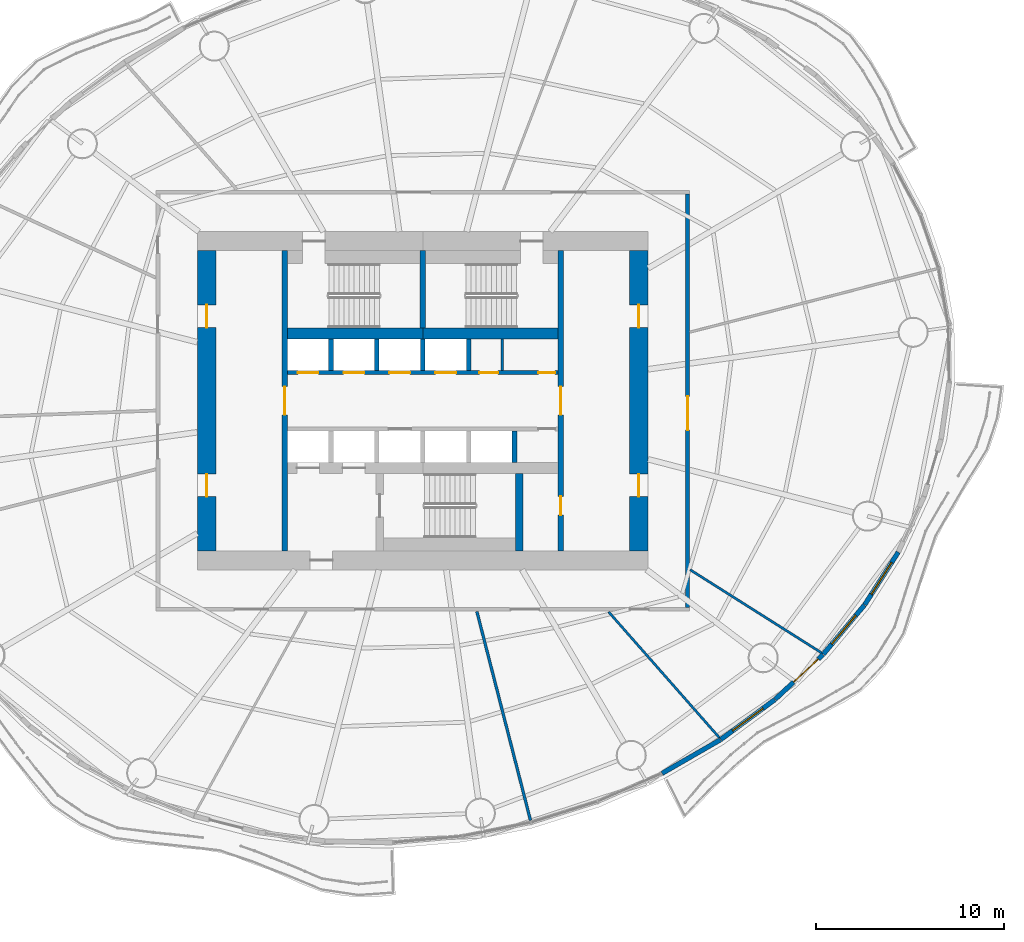
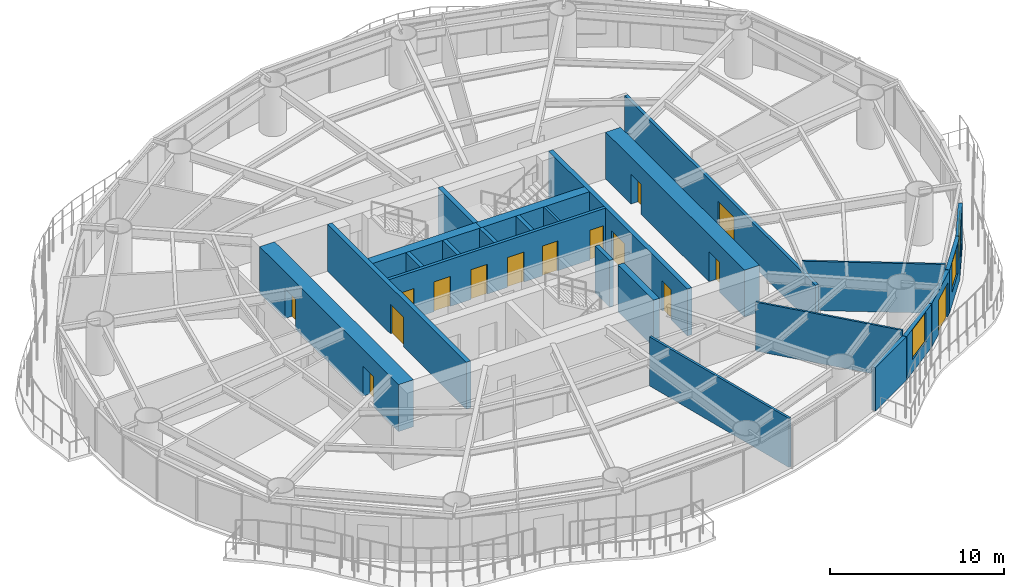
# One storey, part 9 of 17: 24 walls, 15 doors, 3 windows, 18 openings.
"""IFC4 building model written with IfcOpenShell, lengths in metres."""

from ifc_helpers import new_model, si_unit, direction, frame, frame_2d, origin, place, context, subcontext, project, spatial, rectangle, extrude, material, layer, layer_set, type_object, element, fill, save


model = new_model("IFC4")

# Units and contexts
model_context = context("Model", 3, precision=1e-05, world=origin(), true_north=direction((0.0, 1.0)))
body_context = subcontext(model_context, "Body", "Model", "MODEL_VIEW")
ifc_project = project(units=[si_unit("LENGTHUNIT", "METRE"), si_unit("AREAUNIT", "SQUARE_METRE"), si_unit("VOLUMEUNIT", "CUBIC_METRE"), si_unit("PLANEANGLEUNIT", "RADIAN"), si_unit("MASSUNIT", "GRAM", prefix="KILO")], contexts=[model_context])

# Site, building, storey
site_placement = place(None, origin())
site = spatial("IfcSite", under=ifc_project, at=site_placement, CompositionType="ELEMENT")
building_placement = place(site_placement, origin())
building = spatial("IfcBuilding", under=site, at=building_placement, Name="Vermilion Reach Broadcast Tower", CompositionType="ELEMENT")
storey_placement = place(building_placement, frame((0.0, 0.0, 92.199951171875)))
storey = spatial("IfcBuildingStorey", under=building, at=storey_placement, Name="L20", CompositionType="ELEMENT", Elevation=92.199951171875)

# Wall, opening, door
ifc_material_1 = material(Name="Concrete C70", Category="concrete")
ifc_layer_1 = layer(ifc_material_1, 0.300048828125)
ifc_layer_set_1 = layer_set([ifc_layer_1], Name="Core inner wall 300 mm Concrete C70")
wall_type_1 = type_object("IfcWallType", Name="Core inner wall 300 mm Concrete C70", PredefinedType="SHEAR", material=ifc_layer_set_1)
wall_1_placement = place(storey_placement, frame((-13.35009765625, 8.0, 0.0), z_axis=(0.0, 0.0, 1.0), x_axis=(0.0, -1.0, 0.0)))
wall_1 = element("IfcWall", 1, at=wall_1_placement, inside=storey, type_object=wall_type_1, Name="L20 core wall ewW", PredefinedType="SHEAR", context=body_context, shape_type="SweptSolid", body=[
    extrude(rectangle(XDim=16.0, YDim=0.300048828125, at=frame_2d((8.0, 0.0))), origin(), (0.0, 0.0, 1.0), 3.300048828125),
])
opening_1_placement = place(wall_1_placement, frame((7.25, 0.0, 0.0)))
opening_1 = element("IfcOpeningElement", 2, at=opening_1_placement, cuts=wall_1, Name="Opening D04", PredefinedType="OPENING", context=body_context, shape_type="SweptSolid", body=[
    extrude(rectangle(XDim=1.5, YDim=2.10009765625, at=frame_2d((0.75, 1.050048828125))), frame((0.0, 0.159912109375, 0.0), z_axis=(0.0, -1.0, 0.0), x_axis=(1.0, 0.0, 0.0)), (0.0, 0.0, 1.0), 0.320068359375),
])
ifc_material_2 = material(Name="Painted steel fire door", Category="steel")
door_type_1 = type_object("IfcDoorType", Name="Lift lobby door 1500 x 2100", OperationType="DOUBLE_DOOR_SINGLE_SWING", PredefinedType="NOTDEFINED", material=ifc_material_2)
door_1_placement = place(opening_1_placement, origin())
door_1 = element("IfcDoor", 3, at=door_1_placement, inside=storey, type_object=door_type_1, Name="L20 band door BW", OperationType="DOUBLE_DOOR_SINGLE_SWING", OverallHeight=2.10009765625, OverallWidth=1.5, PredefinedType="NOTDEFINED", context=body_context, shape_type="SweptSolid", body=[
    extrude(rectangle(XDim=1.5, YDim=2.10009765625, at=frame_2d((0.75, 1.050048828125))), frame((0.0, 0.02490234375, 0.0), z_axis=(0.0, -1.0, 0.0), x_axis=(1.0, 0.0, 0.0)), (0.0, 0.0, 1.0), 0.050048828125),
])
fill(opening_1, door_1)

# Wall, openings, doors
wall_2_placement = place(storey_placement, frame((1.35009765625, -8.0, 0.0), z_axis=(0.0, 0.0, 1.0), x_axis=(0.0, 1.0, 0.0)))
wall_2 = element("IfcWall", 4, at=wall_2_placement, inside=storey, type_object=wall_type_1, Name="L20 core wall ewE", PredefinedType="SHEAR", context=body_context, shape_type="SweptSolid", body=[
    extrude(rectangle(XDim=16.0, YDim=0.300048828125, at=frame_2d((8.0, 0.0))), origin(), (0.0, 0.0, 1.0), 3.300048828125),
])
opening_2_placement = place(wall_2_placement, frame((1.909912109375, 0.0, 0.0)))
opening_2 = element("IfcOpeningElement", 5, at=opening_2_placement, cuts=wall_2, Name="Opening D05", PredefinedType="OPENING", context=body_context, shape_type="SweptSolid", body=[
    extrude(rectangle(XDim=1.0, YDim=2.10009765625, at=frame_2d((0.5, 1.050048828125))), frame((0.0, 0.159912109375, 0.0), z_axis=(0.0, -1.0, 0.0), x_axis=(1.0, 0.0, 0.0)), (0.0, 0.0, 1.0), 0.320068359375),
])
opening_3_placement = place(wall_2_placement, frame((7.25, 0.0, 0.0)))
opening_3 = element("IfcOpeningElement", 6, at=opening_3_placement, cuts=wall_2, Name="Opening D04", PredefinedType="OPENING", context=body_context, shape_type="SweptSolid", body=[
    extrude(rectangle(XDim=1.5, YDim=2.10009765625, at=frame_2d((0.75, 1.050048828125))), frame((0.0, 0.159912109375, 0.0), z_axis=(0.0, -1.0, 0.0), x_axis=(1.0, 0.0, 0.0)), (0.0, 0.0, 1.0), 0.320068359375),
])
door_2_placement = place(opening_3_placement, origin())
door_2 = element("IfcDoor", 7, at=door_2_placement, inside=storey, type_object=door_type_1, Name="L20 band door BE", OperationType="DOUBLE_DOOR_SINGLE_SWING", OverallHeight=2.10009765625, OverallWidth=1.5, PredefinedType="NOTDEFINED", context=body_context, shape_type="SweptSolid", body=[
    extrude(rectangle(XDim=1.5, YDim=2.10009765625, at=frame_2d((0.75, 1.050048828125))), frame((0.0, 0.02490234375, 0.0), z_axis=(0.0, -1.0, 0.0), x_axis=(1.0, 0.0, 0.0)), (0.0, 0.0, 1.0), 0.050048828125),
])
fill(opening_3, door_2)
ifc_material_3 = material(Name="Timber door", Category="wood")
door_type_2 = type_object("IfcDoorType", Name="Room door 1000 x 2100", OperationType="NOTDEFINED", PredefinedType="NOTDEFINED", material=ifc_material_3)
door_3_placement = place(opening_2_placement, origin())
door_3 = element("IfcDoor", 8, at=door_3_placement, inside=storey, type_object=door_type_2, Name="L20 door SER", OperationType="SINGLE_SWING_LEFT", OverallHeight=2.10009765625, OverallWidth=1.0, PredefinedType="NOTDEFINED", context=body_context, shape_type="SweptSolid", body=[
    extrude(rectangle(XDim=1.0, YDim=2.10009765625, at=frame_2d((0.5, 1.050048828125))), frame((0.0, 0.02490234375, 0.0), z_axis=(0.0, -1.0, 0.0), x_axis=(1.0, 0.0, 0.0)), (0.0, 0.0, 1.0), 0.050048828125),
])
fill(opening_2, door_3)

# Walls
wall_3_placement = place(storey_placement, frame((-6.0, 3.8798828125, 0.0), z_axis=(0.0, 0.0, 1.0), x_axis=(0.0, 1.0, 0.0)))
element("IfcWall", 9, at=wall_3_placement, inside=storey, type_object=wall_type_1, Name="L20 core wall wc", PredefinedType="SHEAR", context=body_context, shape_type="SweptSolid", body=[
    extrude(rectangle(XDim=4.1201171875, YDim=0.300048828125, at=frame_2d((2.06005859375, 0.0))), origin(), (0.0, 0.0, 1.0), 3.300048828125),
])
ifc_material_4 = material(Name="Concrete C70", Category="concrete")
ifc_layer_2 = layer(ifc_material_4, 0.39990234375)
ifc_layer_set_2 = layer_set([ifc_layer_2], Name="Core inner wall 400 mm Concrete C70")
wall_type_2 = type_object("IfcWallType", Name="Core inner wall 400 mm Concrete C70", PredefinedType="SHEAR", material=ifc_layer_set_2)
wall_4_placement = place(storey_placement, frame((-0.85009765625, -3.8798828125, 0.0), z_axis=(0.0, 0.0, 1.0), x_axis=(0.0, -1.0, 0.0)))
element("IfcWall", 10, at=wall_4_placement, inside=storey, type_object=wall_type_2, Name="L20 core wall wb", PredefinedType="SHEAR", context=body_context, shape_type="SweptSolid", body=[
    extrude(rectangle(XDim=4.1201171875, YDim=0.39990234375, at=frame_2d((2.06005859375, 0.0))), origin(), (0.0, 0.0, 1.0), 3.300048828125),
])
ifc_material_5 = material(Name="Concrete C70", Category="concrete")
ifc_layer_3 = layer(ifc_material_5, 0.60009765625)
ifc_layer_set_3 = layer_set([ifc_layer_3], Name="Core inner wall 600 mm Concrete C70")
wall_type_3 = type_object("IfcWallType", Name="Core inner wall 600 mm Concrete C70", PredefinedType="SHEAR", material=ifc_layer_set_3)
for number, where, z_axis, x_axis, name in (
    (11, (-13.199951171875, 3.580078125, 0.0), (0.0, 0.0, 1.0), (1.0, 0.0, 0.0), "L20 core wall winW"),
    (12, (-6.0, 3.580078125, 0.0), (0.0, 0.0, 1.0), (1.0, 0.0, 0.0), "L20 core wall winE"),
):
    element("IfcWall", number, at=place(storey_placement, frame(where, z_axis=z_axis, x_axis=x_axis)), inside=storey, type_object=wall_type_3, Name=name, PredefinedType="SHEAR", context=body_context, shape_type="SweptSolid", body=[
        extrude(rectangle(XDim=7.199951171875, YDim=0.60009765625, at=frame_2d((3.60009765625, 0.0))), origin(), (0.0, 0.0, 1.0), 3.300048828125),
    ])

# Wall, openings, doors
ifc_material_6 = material(Name="Concrete C70", Category="concrete")
ifc_layer_4 = layer(ifc_material_6, 1.0)
ifc_layer_set_4 = layer_set([ifc_layer_4], Name="Core outer wall 1000 mm Concrete C70")
wall_type_4 = type_object("IfcWallType", Name="Core outer wall 1000 mm Concrete C70", PredefinedType="SHEAR", material=ifc_layer_set_4)
wall_5_placement = place(storey_placement, frame((-17.5, 8.0, 0.0), z_axis=(0.0, 0.0, 1.0), x_axis=(0.0, -1.0, 0.0)))
wall_5 = element("IfcWall", 13, at=wall_5_placement, inside=storey, type_object=wall_type_4, Name="L20 core wall ow", PredefinedType="SHEAR", context=body_context, shape_type="SweptSolid", body=[
    extrude(rectangle(XDim=16.0, YDim=1.0, at=frame_2d((8.0, 0.0))), origin(), (0.0, 0.0, 1.0), 3.300048828125),
])
opening_4_placement = place(wall_5_placement, frame((11.89990234375, 0.0, 0.0)))
opening_4 = element("IfcOpeningElement", 14, at=opening_4_placement, cuts=wall_5, Name="Opening D03", PredefinedType="OPENING", context=body_context, shape_type="SweptSolid", body=[
    extrude(rectangle(XDim=1.199951171875, YDim=2.10009765625, at=frame_2d((0.60009765625, 1.050048828125))), frame((0.0, 0.510009765625, 0.0), z_axis=(0.0, -1.0, 0.0), x_axis=(1.0, 0.0, 0.0)), (0.0, 0.0, 1.0), 1.02001953125),
])
opening_5_placement = place(wall_5_placement, frame((2.89990234375, 0.0, 0.0)))
opening_5 = element("IfcOpeningElement", 15, at=opening_5_placement, cuts=wall_5, Name="Opening D03", PredefinedType="OPENING", context=body_context, shape_type="SweptSolid", body=[
    extrude(rectangle(XDim=1.199951171875, YDim=2.10009765625, at=frame_2d((0.60009765625, 1.050048828125))), frame((0.0, 0.510009765625, 0.0), z_axis=(0.0, -1.0, 0.0), x_axis=(1.0, 0.0, 0.0)), (0.0, 0.0, 1.0), 1.02001953125),
])
ifc_material_7 = material(Name="Painted steel fire door", Category="steel")
door_type_3 = type_object("IfcDoorType", Name="Core lobby door 1200 x 2100", OperationType="DOUBLE_DOOR_SINGLE_SWING", PredefinedType="NOTDEFINED", material=ifc_material_7)
door_4_placement = place(opening_4_placement, origin())
door_4 = element("IfcDoor", 16, at=door_4_placement, inside=storey, type_object=door_type_3, Name="L20 slot door W0", OperationType="DOUBLE_DOOR_SINGLE_SWING", OverallHeight=2.10009765625, OverallWidth=1.199951171875, PredefinedType="NOTDEFINED", context=body_context, shape_type="SweptSolid", body=[
    extrude(rectangle(XDim=1.199951171875, YDim=2.10009765625, at=frame_2d((0.60009765625, 1.050048828125))), frame((0.0, 0.02490234375, 0.0), z_axis=(0.0, -1.0, 0.0), x_axis=(1.0, 0.0, 0.0)), (0.0, 0.0, 1.0), 0.050048828125),
])
fill(opening_4, door_4)
door_5_placement = place(opening_5_placement, origin())
door_5 = element("IfcDoor", 17, at=door_5_placement, inside=storey, type_object=door_type_3, Name="L20 slot door W1", OperationType="DOUBLE_DOOR_SINGLE_SWING", OverallHeight=2.10009765625, OverallWidth=1.199951171875, PredefinedType="NOTDEFINED", context=body_context, shape_type="SweptSolid", body=[
    extrude(rectangle(XDim=1.199951171875, YDim=2.10009765625, at=frame_2d((0.60009765625, 1.050048828125))), frame((0.0, 0.02490234375, 0.0), z_axis=(0.0, -1.0, 0.0), x_axis=(1.0, 0.0, 0.0)), (0.0, 0.0, 1.0), 0.050048828125),
])
fill(opening_5, door_5)

wall_6_placement = place(storey_placement, frame((5.5, -8.0, 0.0), z_axis=(0.0, 0.0, 1.0), x_axis=(0.0, 1.0, 0.0)))
wall_6 = element("IfcWall", 18, at=wall_6_placement, inside=storey, type_object=wall_type_4, Name="L20 core wall oe", PredefinedType="SHEAR", context=body_context, shape_type="SweptSolid", body=[
    extrude(rectangle(XDim=16.0, YDim=1.0, at=frame_2d((8.0, 0.0))), origin(), (0.0, 0.0, 1.0), 3.300048828125),
])
opening_6_placement = place(wall_6_placement, frame((2.89990234375, 0.0, 0.0)))
opening_6 = element("IfcOpeningElement", 19, at=opening_6_placement, cuts=wall_6, Name="Opening D03", PredefinedType="OPENING", context=body_context, shape_type="SweptSolid", body=[
    extrude(rectangle(XDim=1.199951171875, YDim=2.10009765625, at=frame_2d((0.60009765625, 1.050048828125))), frame((0.0, 0.510009765625, 0.0), z_axis=(0.0, -1.0, 0.0), x_axis=(1.0, 0.0, 0.0)), (0.0, 0.0, 1.0), 1.02001953125),
])
opening_7_placement = place(wall_6_placement, frame((11.89990234375, 0.0, 0.0)))
opening_7 = element("IfcOpeningElement", 20, at=opening_7_placement, cuts=wall_6, Name="Opening D03", PredefinedType="OPENING", context=body_context, shape_type="SweptSolid", body=[
    extrude(rectangle(XDim=1.199951171875, YDim=2.10009765625, at=frame_2d((0.60009765625, 1.050048828125))), frame((0.0, 0.510009765625, 0.0), z_axis=(0.0, -1.0, 0.0), x_axis=(1.0, 0.0, 0.0)), (0.0, 0.0, 1.0), 1.02001953125),
])
door_6_placement = place(opening_6_placement, origin())
door_6 = element("IfcDoor", 21, at=door_6_placement, inside=storey, type_object=door_type_3, Name="L20 slot door E0", OperationType="DOUBLE_DOOR_SINGLE_SWING", OverallHeight=2.10009765625, OverallWidth=1.199951171875, PredefinedType="NOTDEFINED", context=body_context, shape_type="SweptSolid", body=[
    extrude(rectangle(XDim=1.199951171875, YDim=2.10009765625, at=frame_2d((0.60009765625, 1.050048828125))), frame((0.0, 0.02490234375, 0.0), z_axis=(0.0, -1.0, 0.0), x_axis=(1.0, 0.0, 0.0)), (0.0, 0.0, 1.0), 0.050048828125),
])
fill(opening_6, door_6)
door_7_placement = place(opening_7_placement, origin())
door_7 = element("IfcDoor", 22, at=door_7_placement, inside=storey, type_object=door_type_3, Name="L20 slot door E1", OperationType="DOUBLE_DOOR_SINGLE_SWING", OverallHeight=2.10009765625, OverallWidth=1.199951171875, PredefinedType="NOTDEFINED", context=body_context, shape_type="SweptSolid", body=[
    extrude(rectangle(XDim=1.199951171875, YDim=2.10009765625, at=frame_2d((0.60009765625, 1.050048828125))), frame((0.0, 0.02490234375, 0.0), z_axis=(0.0, -1.0, 0.0), x_axis=(1.0, 0.0, 0.0)), (0.0, 0.0, 1.0), 0.050048828125),
])
fill(opening_7, door_7)

# Wall
ifc_material_8 = material(Name="Masonry block", Category="masonry")
ifc_layer_5 = layer(ifc_material_8, 0.14990234375)
ifc_layer_set_5 = layer_set([ifc_layer_5], Name="Core partition wall 150 mm Masonry block")
wall_type_5 = type_object("IfcWallType", Name="Core partition wall 150 mm Masonry block", PredefinedType="PARTITIONING", material=ifc_layer_set_5)
wall_7_placement = place(storey_placement, frame((-1.765380859375, 1.60009765625, 0.0), z_axis=(0.0, 0.0, 1.0), x_axis=(0.0, 1.0, 0.0)))
element("IfcWall", 23, at=wall_7_placement, inside=storey, type_object=wall_type_5, Name="L20 core wall prN4235", PredefinedType="PARTITIONING", context=body_context, shape_type="SweptSolid", body=[
    extrude(rectangle(XDim=1.679931640625, YDim=0.14990234375, at=frame_2d((0.83984375, 0.0))), origin(), (0.0, 0.0, 1.0), 3.300048828125),
])

# Wall, openings, doors
ifc_material_9 = material(Name="Concrete C50", Category="concrete")
ifc_layer_6 = layer(ifc_material_9, 0.199951171875)
ifc_layer_set_6 = layer_set([ifc_layer_6], Name="Core shaft wall 200 mm Concrete C50")
wall_type_6 = type_object("IfcWallType", Name="Core shaft wall 200 mm Concrete C50", PredefinedType="SHEAR", material=ifc_layer_set_6)
wall_8_placement = place(storey_placement, frame((-13.199951171875, 1.5, 0.0), z_axis=(0.0, 0.0, 1.0), x_axis=(1.0, 0.0, 0.0)))
wall_8 = element("IfcWall", 24, at=wall_8_placement, inside=storey, type_object=wall_type_6, Name="L20 core wall fn", PredefinedType="SHEAR", context=body_context, shape_type="SweptSolid", body=[
    extrude(rectangle(XDim=14.39990234375, YDim=0.199951171875, at=frame_2d((7.199951171875, 0.0))), origin(), (0.0, 0.0, 1.0), 3.300048828125),
])
opening_8_placement = place(wall_8_placement, frame((0.5458984375, 0.0, 0.0)))
opening_8 = element("IfcOpeningElement", 25, at=opening_8_placement, cuts=wall_8, Name="Opening LD2", PredefinedType="OPENING", context=body_context, shape_type="SweptSolid", body=[
    extrude(rectangle(XDim=1.10009765625, YDim=2.10009765625, at=frame_2d((0.550048828125, 1.050048828125))), frame((0.0, 0.10986328125, 0.0), z_axis=(0.0, -1.0, 0.0), x_axis=(1.0, 0.0, 0.0)), (0.0, 0.0, 1.0), 0.219970703125),
])
opening_9_placement = place(wall_8_placement, frame((2.987548828125, 0.0, 0.0)))
opening_9 = element("IfcOpeningElement", 26, at=opening_9_placement, cuts=wall_8, Name="Opening LD2", PredefinedType="OPENING", context=body_context, shape_type="SweptSolid", body=[
    extrude(rectangle(XDim=1.10009765625, YDim=2.10009765625, at=frame_2d((0.550048828125, 1.050048828125))), frame((0.0, 0.10986328125, 0.0), z_axis=(0.0, -1.0, 0.0), x_axis=(1.0, 0.0, 0.0)), (0.0, 0.0, 1.0), 0.219970703125),
])
opening_10_placement = place(wall_8_placement, frame((5.42919921875, 0.0, 0.0)))
opening_10 = element("IfcOpeningElement", 27, at=opening_10_placement, cuts=wall_8, Name="Opening LD2", PredefinedType="OPENING", context=body_context, shape_type="SweptSolid", body=[
    extrude(rectangle(XDim=1.10009765625, YDim=2.10009765625, at=frame_2d((0.550048828125, 1.050048828125))), frame((0.0, 0.10986328125, 0.0), z_axis=(0.0, -1.0, 0.0), x_axis=(1.0, 0.0, 0.0)), (0.0, 0.0, 1.0), 0.219970703125),
])
opening_11_placement = place(wall_8_placement, frame((7.870849609375, 0.0, 0.0)))
opening_11 = element("IfcOpeningElement", 28, at=opening_11_placement, cuts=wall_8, Name="Opening LD2", PredefinedType="OPENING", context=body_context, shape_type="SweptSolid", body=[
    extrude(rectangle(XDim=1.10009765625, YDim=2.10009765625, at=frame_2d((0.550048828125, 1.050048828125))), frame((0.0, 0.10986328125, 0.0), z_axis=(0.0, -1.0, 0.0), x_axis=(1.0, 0.0, 0.0)), (0.0, 0.0, 1.0), 0.219970703125),
])
opening_12_placement = place(wall_8_placement, frame((10.209716796875, 0.0, 0.0)))
opening_12 = element("IfcOpeningElement", 29, at=opening_12_placement, cuts=wall_8, Name="Opening D07", PredefinedType="OPENING", context=body_context, shape_type="SweptSolid", body=[
    extrude(rectangle(XDim=1.0, YDim=2.10009765625, at=frame_2d((0.5, 1.050048828125))), frame((0.0, 0.10986328125, 0.0), z_axis=(0.0, -1.0, 0.0), x_axis=(1.0, 0.0, 0.0)), (0.0, 0.0, 1.0), 0.219970703125),
])
opening_13_placement = place(wall_8_placement, frame((13.35009765625, 0.0, 0.0)))
opening_13 = element("IfcOpeningElement", 30, at=opening_13_placement, cuts=wall_8, Name="Opening D06", PredefinedType="OPENING", context=body_context, shape_type="SweptSolid", body=[
    extrude(rectangle(XDim=0.89990234375, YDim=2.10009765625, at=frame_2d((0.449951171875, 1.050048828125))), frame((0.0, 0.10986328125, 0.0), z_axis=(0.0, -1.0, 0.0), x_axis=(1.0, 0.0, 0.0)), (0.0, 0.0, 1.0), 0.219970703125),
])
ifc_material_10 = material(Name="Timber door", Category="wood")
door_type_4 = type_object("IfcDoorType", Name="Accessible WC door 1000 x 2100", OperationType="NOTDEFINED", PredefinedType="NOTDEFINED", material=ifc_material_10)
door_8_placement = place(opening_12_placement, origin())
door_8 = element("IfcDoor", 31, at=door_8_placement, inside=storey, type_object=door_type_4, Name="L20 door Accessible WC", OperationType="SINGLE_SWING_RIGHT", OverallHeight=2.10009765625, OverallWidth=1.0, PredefinedType="NOTDEFINED", context=body_context, shape_type="SweptSolid", body=[
    extrude(rectangle(XDim=1.0, YDim=2.10009765625, at=frame_2d((0.5, 1.050048828125))), frame((0.0, 0.02490234375, 0.0), z_axis=(0.0, -1.0, 0.0), x_axis=(1.0, 0.0, 0.0)), (0.0, 0.0, 1.0), 0.050048828125),
])
fill(opening_12, door_8)
ifc_material_11 = material(Name="Stainless steel", Category="steel")
door_type_5 = type_object("IfcDoorType", Name="Landing door 1100 x 2100", OperationType="DOUBLE_DOOR_SLIDING", PredefinedType="NOTDEFINED", material=ifc_material_11)
door_9_placement = place(opening_8_placement, origin())
door_9 = element("IfcDoor", 32, at=door_9_placement, inside=storey, type_object=door_type_5, Name="L20 landing door LR1", OperationType="DOUBLE_DOOR_SLIDING", OverallHeight=2.10009765625, OverallWidth=1.10009765625, PredefinedType="NOTDEFINED", context=body_context, shape_type="SweptSolid", body=[
    extrude(rectangle(XDim=1.10009765625, YDim=2.10009765625, at=frame_2d((0.550048828125, 1.050048828125))), frame((0.0, 0.02490234375, 0.0), z_axis=(0.0, -1.0, 0.0), x_axis=(1.0, 0.0, 0.0)), (0.0, 0.0, 1.0), 0.050048828125),
])
fill(opening_8, door_9)
door_10_placement = place(opening_9_placement, origin())
door_10 = element("IfcDoor", 33, at=door_10_placement, inside=storey, type_object=door_type_5, Name="L20 landing door LR2", OperationType="DOUBLE_DOOR_SLIDING", OverallHeight=2.10009765625, OverallWidth=1.10009765625, PredefinedType="NOTDEFINED", context=body_context, shape_type="SweptSolid", body=[
    extrude(rectangle(XDim=1.10009765625, YDim=2.10009765625, at=frame_2d((0.550048828125, 1.050048828125))), frame((0.0, 0.02490234375, 0.0), z_axis=(0.0, -1.0, 0.0), x_axis=(1.0, 0.0, 0.0)), (0.0, 0.0, 1.0), 0.050048828125),
])
fill(opening_9, door_10)
door_11_placement = place(opening_10_placement, origin())
door_11 = element("IfcDoor", 34, at=door_11_placement, inside=storey, type_object=door_type_5, Name="L20 landing door LR3", OperationType="DOUBLE_DOOR_SLIDING", OverallHeight=2.10009765625, OverallWidth=1.10009765625, PredefinedType="NOTDEFINED", context=body_context, shape_type="SweptSolid", body=[
    extrude(rectangle(XDim=1.10009765625, YDim=2.10009765625, at=frame_2d((0.550048828125, 1.050048828125))), frame((0.0, 0.02490234375, 0.0), z_axis=(0.0, -1.0, 0.0), x_axis=(1.0, 0.0, 0.0)), (0.0, 0.0, 1.0), 0.050048828125),
])
fill(opening_10, door_11)
door_12_placement = place(opening_11_placement, origin())
door_12 = element("IfcDoor", 35, at=door_12_placement, inside=storey, type_object=door_type_5, Name="L20 landing door LR4", OperationType="DOUBLE_DOOR_SLIDING", OverallHeight=2.10009765625, OverallWidth=1.10009765625, PredefinedType="NOTDEFINED", context=body_context, shape_type="SweptSolid", body=[
    extrude(rectangle(XDim=1.10009765625, YDim=2.10009765625, at=frame_2d((0.550048828125, 1.050048828125))), frame((0.0, 0.02490234375, 0.0), z_axis=(0.0, -1.0, 0.0), x_axis=(1.0, 0.0, 0.0)), (0.0, 0.0, 1.0), 0.050048828125),
])
fill(opening_11, door_12)
ifc_material_12 = material(Name="Timber door", Category="wood")
door_type_6 = type_object("IfcDoorType", Name="WC door 900 x 2100", OperationType="NOTDEFINED", PredefinedType="NOTDEFINED", material=ifc_material_12)
door_13_placement = place(opening_13_placement, origin())
door_13 = element("IfcDoor", 36, at=door_13_placement, inside=storey, type_object=door_type_6, Name="L20 door Female WC", OperationType="SINGLE_SWING_RIGHT", OverallHeight=2.10009765625, OverallWidth=0.89990234375, PredefinedType="NOTDEFINED", context=body_context, shape_type="SweptSolid", body=[
    extrude(rectangle(XDim=0.89990234375, YDim=2.10009765625, at=frame_2d((0.449951171875, 1.050048828125))), frame((0.0, 0.02490234375, 0.0), z_axis=(0.0, -1.0, 0.0), x_axis=(1.0, 0.0, 0.0)), (0.0, 0.0, 1.0), 0.050048828125),
])
fill(opening_13, door_13)

# Walls
ifc_material_13 = material(Name="Concrete C50", Category="concrete")
ifc_layer_7 = layer(ifc_material_13, 0.25)
ifc_layer_set_7 = layer_set([ifc_layer_7], Name="Core shaft wall 250 mm Concrete C50")
wall_type_7 = type_object("IfcWallType", Name="Core shaft wall 250 mm Concrete C50", PredefinedType="SHEAR", material=ifc_layer_set_7)
for number, where, z_axis, x_axis, name in (
    (37, (-10.88330078125, 1.60009765625, 0.0), (0.0, 0.0, 1.0), (0.0, 1.0, 0.0), "L20 core wall psN0"),
    (38, (-8.441650390625, 1.60009765625, 0.0), (0.0, 0.0, 1.0), (0.0, 1.0, 0.0), "L20 core wall psN1"),
    (39, (-6.0, 1.60009765625, 0.0), (0.0, 0.0, 1.0), (0.0, 1.0, 0.0), "L20 core wall psN2"),
    (40, (-3.558349609375, 1.60009765625, 0.0), (0.0, 0.0, 1.0), (0.0, 1.0, 0.0), "L20 core wall psN3"),
    (41, (-1.11669921875, -1.60009765625, 0.0), (0.0, 0.0, 1.0), (0.0, -1.0, 0.0), "L20 core wall psS4"),
):
    element("IfcWall", number, at=place(storey_placement, frame(where, z_axis=z_axis, x_axis=x_axis)), inside=storey, type_object=wall_type_7, Name=name, PredefinedType="SHEAR", context=body_context, shape_type="SweptSolid", body=[
        extrude(rectangle(XDim=1.679931640625, YDim=0.25, at=frame_2d((0.83984375, 0.0))), origin(), (0.0, 0.0, 1.0), 3.300048828125),
    ])
ifc_material_14 = material(Name="Fire-rated plasterboard on steel stud", Category="steel")
ifc_layer_8 = layer(ifc_material_14, 0.125)
ifc_layer_set_8 = layer_set([ifc_layer_8], Name="Partition 125 fire-rated stud")
wall_type_8 = type_object("IfcWallType", Name="Partition 125 fire-rated stud", PredefinedType="PARTITIONING", material=ifc_layer_set_8)
wall_9_placement = place(storey_placement, frame((9.789794921875, -17.936279296875, 0.0), z_axis=(0.0, 0.0, 1.0), x_axis=(-0.660747590453, 0.750608167895, 0.0)))
element("IfcWall", 42, at=wall_9_placement, inside=storey, type_object=wall_type_8, Name="Partition 20.09", PredefinedType="PARTITIONING", context=body_context, shape_type="SweptSolid", body=[
    extrude(rectangle(XDim=8.91943359375, YDim=0.125, at=frame_2d((4.459716796875, 0.0))), origin(), (0.0, 0.0, 1.0), 3.449951171875),
])
wall_10_placement = place(storey_placement, frame((15.228271484375, -13.41845703125, 0.0), z_axis=(0.0, 0.0, 1.0), x_axis=(-0.845280625948, 0.534322621079, 0.0)))
element("IfcWall", 43, at=wall_10_placement, inside=storey, type_object=wall_type_8, Name="Partition 20.10", PredefinedType="PARTITIONING", context=body_context, shape_type="SweptSolid", body=[
    extrude(rectangle(XDim=8.275146484375, YDim=0.125, at=frame_2d((4.1376953125, 0.0))), origin(), (0.0, 0.0, 1.0), 3.449951171875),
])
ifc_material_15 = material(Name="Lightweight concrete block, plastered", Category="concrete")
ifc_layer_9 = layer(ifc_material_15, 0.14990234375)
ifc_layer_set_9 = layer_set([ifc_layer_9], Name="Partition 150 lightweight block")
wall_type_9 = type_object("IfcWallType", Name="Partition 150 lightweight block", PredefinedType="PARTITIONING", material=ifc_layer_set_9)
wall_11_placement = place(storey_placement, frame((-0.263916015625, -22.34033203125, 0.0), z_axis=(0.0, 0.0, 1.0), x_axis=(-0.248704264298, 0.968579469594, 0.0)))
element("IfcWall", 44, at=wall_11_placement, inside=storey, type_object=wall_type_9, Name="Partition 20.08", PredefinedType="PARTITIONING", context=body_context, shape_type="SweptSolid", body=[
    extrude(rectangle(XDim=11.482421875, YDim=0.14990234375, at=frame_2d((5.7412109375, 0.0))), origin(), (0.0, 0.0, 1.0), 3.449951171875),
])
ifc_material_16 = material(Name="Terracotta rainscreen cladding", Category="masonry")
ifc_layer_10 = layer(ifc_material_16, 0.25)
ifc_layer_set_10 = layer_set([ifc_layer_10], Name="Terracotta rainscreen wall 250")
wall_type_10 = type_object("IfcWallType", Name="Terracotta rainscreen wall 250", PredefinedType="SOLIDWALL", material=ifc_layer_set_10)
wall_12_placement = place(storey_placement, frame((6.7412109375, -19.83642578125, 0.0), z_axis=(0.0, 0.0, 1.0), x_axis=(0.866511818646, 0.49915655675, 0.0)))
element("IfcWall", 45, at=wall_12_placement, inside=storey, type_object=wall_type_10, Name="External wall L20 38", PredefinedType="SOLIDWALL", context=body_context, shape_type="SweptSolid", body=[
    extrude(rectangle(XDim=3.586181640625, YDim=0.25, at=frame_2d((1.79296875, 0.0))), origin(), (0.0, 0.0, 1.0), 3.050048828125),
])

# Wall, opening, window
wall_13_placement = place(storey_placement, frame((9.8671875, -18.0341796875, 0.0), z_axis=(0.0, 0.0, 1.0), x_axis=(0.804847820355, 0.593481243234, 0.0)))
wall_13 = element("IfcWall", 46, at=wall_13_placement, inside=storey, type_object=wall_type_10, Name="External wall L20 39", PredefinedType="SOLIDWALL", context=body_context, shape_type="SweptSolid", body=[
    extrude(rectangle(XDim=3.5703125, YDim=0.25, at=frame_2d((1.78515625, 0.0))), origin(), (0.0, 0.0, 1.0), 3.050048828125),
])
opening_14_placement = place(wall_13_placement, frame((0.78515625, 0.0, 0.89990234375)))
opening_14 = element("IfcOpeningElement", 47, at=opening_14_placement, cuts=wall_13, Name="Opening W03", PredefinedType="OPENING", context=body_context, shape_type="SweptSolid", body=[
    extrude(rectangle(XDim=2.0, YDim=2.10009765625, at=frame_2d((1.0, 1.050048828125))), frame((0.0, 0.135009765625, 0.0), z_axis=(0.0, -1.0, 0.0), x_axis=(1.0, 0.0, 0.0)), (0.0, 0.0, 1.0), 0.27001953125),
])
ifc_material_17 = material(Name="Low-e laminated clear glass in aluminium frame", Category="aluminium")
window_type = type_object("IfcWindowType", Name="Punched window 2000 x 2100 sill 900", PartitioningType="SINGLE_PANEL", PredefinedType="WINDOW", material=ifc_material_17)
window_1_placement = place(opening_14_placement, origin())
window_1 = element("IfcWindow", 48, at=window_1_placement, inside=storey, type_object=window_type, Name="Window L20 39", OverallHeight=2.10009765625, OverallWidth=2.0, PartitioningType="SINGLE_PANEL", PredefinedType="WINDOW", context=body_context, shape_type="SweptSolid", body=[
    extrude(rectangle(XDim=2.0, YDim=2.10009765625, at=frame_2d((1.0, 1.050048828125))), frame((0.0, 0.030029296875, 0.0), z_axis=(0.0, -1.0, 0.0), x_axis=(1.0, 0.0, 0.0)), (0.0, 0.0, 1.0), 0.06005859375),
])
fill(opening_14, window_1)

# Wall, opening, door
wall_14_placement = place(storey_placement, frame((12.75830078125, -15.90087890625, 0.0), z_axis=(0.0, 0.0, 1.0), x_axis=(0.730116287539, 0.68332291537, 0.0)))
wall_14 = element("IfcWall", 49, at=wall_14_placement, inside=storey, type_object=wall_type_10, Name="External wall L20 40", PredefinedType="SOLIDWALL", context=body_context, shape_type="SweptSolid", body=[
    extrude(rectangle(XDim=3.49560546875, YDim=0.25, at=frame_2d((1.747802734375, 0.0))), origin(), (0.0, 0.0, 1.0), 3.050048828125),
])
opening_15_placement = place(wall_14_placement, frame((1.347900390625, 0.0, 0.0)))
opening_15 = element("IfcOpeningElement", 50, at=opening_15_placement, cuts=wall_14, Name="Opening D70", PredefinedType="OPENING", context=body_context, shape_type="SweptSolid", body=[
    extrude(rectangle(XDim=1.800048828125, YDim=2.39990234375, at=frame_2d((0.89990234375, 1.199951171875))), frame((0.0, 0.135009765625, 0.0), z_axis=(0.0, -1.0, 0.0), x_axis=(1.0, 0.0, 0.0)), (0.0, 0.0, 1.0), 0.27001953125),
])
ifc_material_18 = material(Name="Low-e laminated clear glass in aluminium frame", Category="aluminium")
door_type_7 = type_object("IfcDoorType", Name="Balcony sliding door 1800 x 2400", OperationType="DOUBLE_DOOR_SLIDING", PredefinedType="DOOR", material=ifc_material_18)
door_14_placement = place(opening_15_placement, origin())
door_14 = element("IfcDoor", 51, at=door_14_placement, inside=storey, type_object=door_type_7, Name="Balcony door L20 run 10", OperationType="DOUBLE_DOOR_SLIDING", OverallHeight=2.39990234375, OverallWidth=1.800048828125, PredefinedType="DOOR", context=body_context, shape_type="SweptSolid", body=[
    extrude(rectangle(XDim=1.800048828125, YDim=2.39990234375, at=frame_2d((0.89990234375, 1.199951171875))), frame((0.0, 0.02490234375, 0.0), z_axis=(0.0, -1.0, 0.0), x_axis=(1.0, 0.0, 0.0)), (0.0, 0.0, 1.0), 0.050048828125),
])
fill(opening_15, door_14)

# Wall, opening, window
wall_15_placement = place(storey_placement, frame((15.326416015625, -13.495361328125, 0.0), z_axis=(0.0, 0.0, 1.0), x_axis=(0.641415804232, 0.767193434593, 0.0)))
wall_15 = element("IfcWall", 52, at=wall_15_placement, inside=storey, type_object=wall_type_10, Name="External wall L20 41", PredefinedType="SOLIDWALL", context=body_context, shape_type="SweptSolid", body=[
    extrude(rectangle(XDim=3.410400390625, YDim=0.25, at=frame_2d((1.705078125, 0.0))), origin(), (0.0, 0.0, 1.0), 3.050048828125),
])
opening_16_placement = place(wall_15_placement, frame((0.705078125, 0.0, 0.89990234375)))
opening_16 = element("IfcOpeningElement", 53, at=opening_16_placement, cuts=wall_15, Name="Opening W03", PredefinedType="OPENING", context=body_context, shape_type="SweptSolid", body=[
    extrude(rectangle(XDim=2.0, YDim=2.10009765625, at=frame_2d((1.0, 1.050048828125))), frame((0.0, 0.135009765625, 0.0), z_axis=(0.0, -1.0, 0.0), x_axis=(1.0, 0.0, 0.0)), (0.0, 0.0, 1.0), 0.27001953125),
])
window_2_placement = place(opening_16_placement, origin())
window_2 = element("IfcWindow", 54, at=window_2_placement, inside=storey, type_object=window_type, Name="Window L20 41", OverallHeight=2.10009765625, OverallWidth=2.0, PartitioningType="SINGLE_PANEL", PredefinedType="WINDOW", context=body_context, shape_type="SweptSolid", body=[
    extrude(rectangle(XDim=2.0, YDim=2.10009765625, at=frame_2d((1.0, 1.050048828125))), frame((0.0, 0.030029296875, 0.0), z_axis=(0.0, -1.0, 0.0), x_axis=(1.0, 0.0, 0.0)), (0.0, 0.0, 1.0), 0.06005859375),
])
fill(opening_16, window_2)

wall_16_placement = place(storey_placement, frame((17.5283203125, -10.859619140625, 0.0), z_axis=(0.0, 0.0, 1.0), x_axis=(0.537922040575, 0.8429945897, 0.0)))
wall_16 = element("IfcWall", 55, at=wall_16_placement, inside=storey, type_object=wall_type_10, Name="External wall L20 42", PredefinedType="SOLIDWALL", context=body_context, shape_type="SweptSolid", body=[
    extrude(rectangle(XDim=3.319580078125, YDim=0.25, at=frame_2d((1.65966796875, 0.0))), origin(), (0.0, 0.0, 1.0), 3.050048828125),
])
opening_17_placement = place(wall_16_placement, frame((0.659912109375, 0.0, 0.89990234375)))
opening_17 = element("IfcOpeningElement", 56, at=opening_17_placement, cuts=wall_16, Name="Opening W03", PredefinedType="OPENING", context=body_context, shape_type="SweptSolid", body=[
    extrude(rectangle(XDim=2.0, YDim=2.10009765625, at=frame_2d((1.0, 1.050048828125))), frame((0.0, 0.135009765625, 0.0), z_axis=(0.0, -1.0, 0.0), x_axis=(1.0, 0.0, 0.0)), (0.0, 0.0, 1.0), 0.27001953125),
])
window_3_placement = place(opening_17_placement, origin())
window_3 = element("IfcWindow", 57, at=window_3_placement, inside=storey, type_object=window_type, Name="Window L20 42", OverallHeight=2.10009765625, OverallWidth=2.0, PartitioningType="SINGLE_PANEL", PredefinedType="WINDOW", context=body_context, shape_type="SweptSolid", body=[
    extrude(rectangle(XDim=2.0, YDim=2.10009765625, at=frame_2d((1.0, 1.050048828125))), frame((0.0, 0.030029296875, 0.0), z_axis=(0.0, -1.0, 0.0), x_axis=(1.0, 0.0, 0.0)), (0.0, 0.0, 1.0), 0.06005859375),
])
fill(opening_17, window_3)

# Wall, opening, door
ifc_material_19 = material(Name="Fire-rated gypsum board partition")
ifc_layer_11 = layer(ifc_material_19, 0.199951171875)
ifc_layer_set_11 = layer_set([ifc_layer_11], Name="Under girder: Corridor wall 200 fire-rated")
wall_type_11 = type_object("IfcWallType", Name="Under girder: Corridor wall 200 fire-rated", PredefinedType="PARTITIONING", material=ifc_layer_set_11)
wall_17_placement = place(storey_placement, frame((8.10009765625, 11.0, 0.0), z_axis=(0.0, 0.0, 1.0), x_axis=(0.0, -1.0, 0.0)))
wall_17 = element("IfcWall", 58, at=wall_17_placement, inside=storey, type_object=wall_type_11, Name="Corridor wall 20.E", PredefinedType="PARTITIONING", context=body_context, shape_type="SweptSolid", body=[
    extrude(rectangle(XDim=22.0, YDim=0.199951171875, at=frame_2d((11.0, 0.0))), origin(), (0.0, 0.0, 1.0), 3.0),
])
opening_18_placement = place(wall_17_placement, frame((10.765625, 0.0, 0.0)))
opening_18 = element("IfcOpeningElement", 59, at=opening_18_placement, cuts=wall_17, Name="Opening D21", PredefinedType="OPENING", context=body_context, shape_type="SweptSolid", body=[
    extrude(rectangle(XDim=1.800048828125, YDim=2.10009765625, at=frame_2d((0.89990234375, 1.050048828125))), frame((0.0, 0.10986328125, 0.0), z_axis=(0.0, -1.0, 0.0), x_axis=(1.0, 0.0, 0.0)), (0.0, 0.0, 1.0), 0.219970703125),
])
ifc_material_20 = material(Name="Timber door leaf", Category="wood")
door_type_8 = type_object("IfcDoorType", Name="Door pair 1800x2100", OperationType="NOTDEFINED", PredefinedType="DOOR", material=ifc_material_20)
door_15_placement = place(opening_18_placement, origin())
door_15 = element("IfcDoor", 60, at=door_15_placement, inside=storey, type_object=door_type_8, Name="Door 20.10", OperationType="DOUBLE_DOOR_SINGLE_SWING", OverallHeight=2.10009765625, OverallWidth=1.800048828125, PredefinedType="DOOR", context=body_context, shape_type="SweptSolid", body=[
    extrude(rectangle(XDim=1.800048828125, YDim=2.10009765625, at=frame_2d((0.89990234375, 1.050048828125))), frame((0.0, 0.02490234375, 0.0), z_axis=(0.0, -1.0, 0.0), x_axis=(1.0, 0.0, 0.0)), (0.0, 0.0, 1.0), 0.050048828125),
])
fill(opening_18, door_15)

save(model, "model.ifc")
